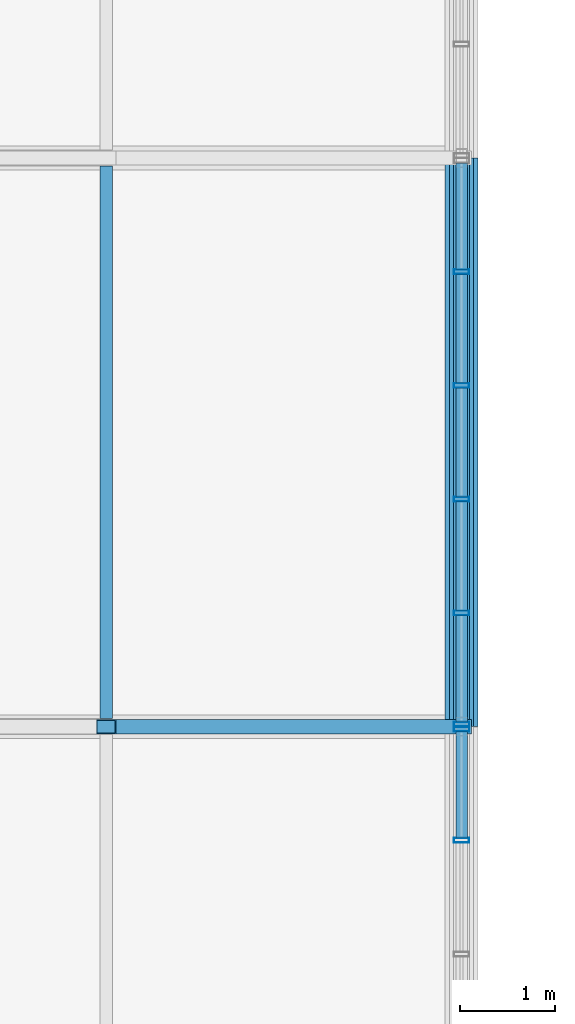
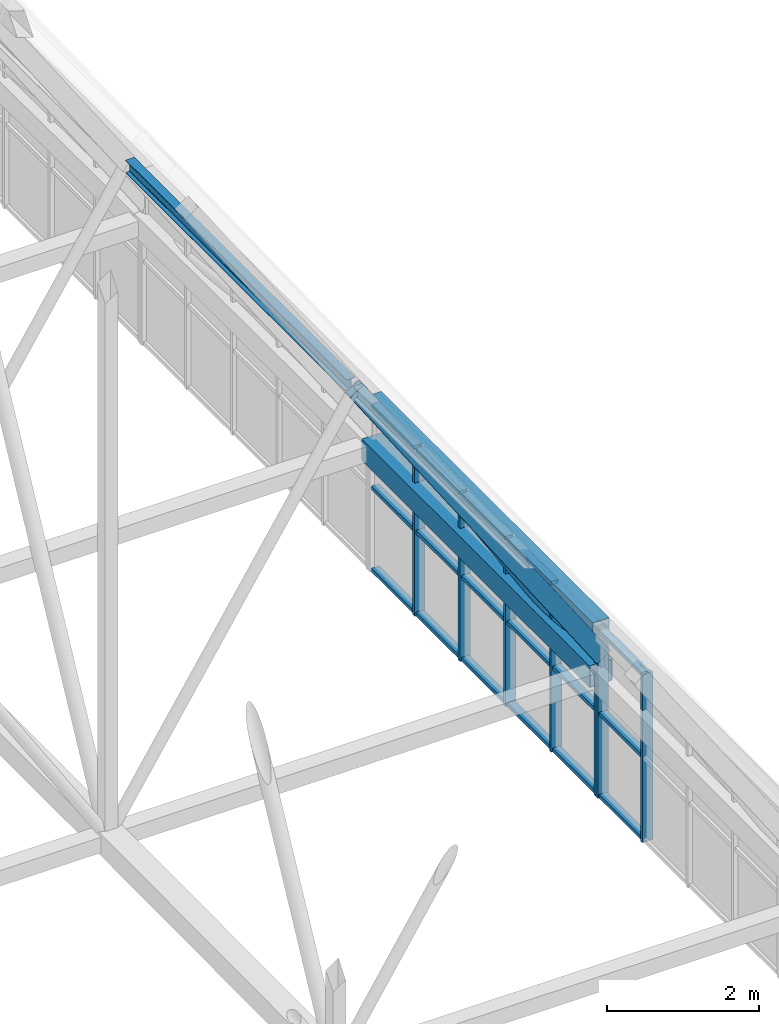
# One storey, part 226 of 324: 29 members, 1 beam, 2 elements without a shape of their own.
"""IFC4 building model written with IfcOpenShell, lengths in metres."""

from ifc_helpers import new_model, si_unit, direction, frame, origin, origin_2d, place, context, subcontext, project, spatial, hollow_rectangle, hollow_circle, i_section, extrude, material, layer, layer_set, material_profile, profile_set, type_object, element, aggregate, save


model = new_model("IFC4")

# Units and contexts
model_context = context("Model", 3, precision=1e-05, world=origin(), true_north=direction((0.0, 1.0)))
body_context = subcontext(model_context, "Body", "Model", "MODEL_VIEW")
ifc_project = project(units=[si_unit("LENGTHUNIT", "METRE"), si_unit("AREAUNIT", "SQUARE_METRE"), si_unit("VOLUMEUNIT", "CUBIC_METRE"), si_unit("PLANEANGLEUNIT", "RADIAN"), si_unit("MASSUNIT", "GRAM", prefix="KILO")], contexts=[model_context])

# Site, building, storey
site_placement = place(None, origin())
site = spatial("IfcSite", under=ifc_project, at=site_placement, CompositionType="ELEMENT")
building_placement = place(site_placement, origin())
building = spatial("IfcBuilding", under=site, at=building_placement, Name="Solvenia Promenade Tram Depot", CompositionType="ELEMENT")
storey_placement = place(building_placement, frame((0.0, 0.0, 4.5)))
storey = spatial("IfcBuildingStorey", under=building, at=storey_placement, Name="L01", CompositionType="ELEMENT", Elevation=4.5)

# Curtain wall, members
ifc_material_1 = material(Name="Anodized aluminium AW-6063 T6", Category="aluminium")
ifc_layer = layer(ifc_material_1, 0.159912109375, Name="Anodized aluminium AW-6063 T6", Category="aluminium")
ifc_layer_set = layer_set([ifc_layer], Name="Anodized aluminium AW-6063 T6")
curtain_wall_type = type_object("IfcCurtainWallType", Name="CW-Channel-1200", PredefinedType="NOTDEFINED", material=ifc_layer_set)
curtain_wall_1_placement = place(storey_placement, origin())
curtain_wall_1 = element("IfcCurtainWall", 1, at=curtain_wall_1_placement, inside=storey, type_object=curtain_wall_type, Name="Curtain Wall CW-V1E-04", PredefinedType="NOTDEFINED")
ifc_material_profile_1 = material_profile(ifc_material_1, hollow_rectangle(XDim=0.159912109375, YDim=0.052001953125, WallThickness=0.00390625, at=origin_2d()), Name="ALU-M1", Category="aluminium")
ifc_profile_set_1 = profile_set([ifc_material_profile_1], Name="Anodized aluminium AW-6063 T6")
member_type_1 = type_object("IfcMemberType", Name="CWM-Mullion-1", PredefinedType="MULLION", material=ifc_profile_set_1)
member_1_placement = place(storey_placement, frame((150.0, 88.800048828125, 0.699951171875), z_axis=(0.0, 0.0, 1.0), x_axis=(-1.0, 0.0, 0.0)))
member_1 = element("IfcMember", 2, at=member_1_placement, type_object=member_type_1, Name="CW-1 mullion 5", PredefinedType="MULLION", context=body_context, shape_type="SweptSolid", body=[
    extrude(hollow_rectangle(XDim=0.159912109375, YDim=0.052001953125, WallThickness=0.00390625, at=origin_2d()), origin(), (0.0, 0.0, 1.0), 2.699951171875),
])
member_2_placement = place(storey_placement, frame((150.0, 89.97412109375, 0.699951171875), z_axis=(0.0, 0.0, 1.0), x_axis=(-1.0, 0.0, 0.0)))
member_2 = element("IfcMember", 3, at=member_2_placement, type_object=member_type_1, Name="CW-1 mullion 6", PredefinedType="MULLION", context=body_context, shape_type="SweptSolid", body=[
    extrude(hollow_rectangle(XDim=0.159912109375, YDim=0.052001953125, WallThickness=0.00390625, at=origin_2d()), origin(), (0.0, 0.0, 1.0), 2.699951171875),
])

curtain_wall_2_placement = place(storey_placement, origin())
curtain_wall_2 = element("IfcCurtainWall", 4, at=curtain_wall_2_placement, inside=storey, type_object=curtain_wall_type, Name="Curtain Wall CW-V1E-05", PredefinedType="NOTDEFINED")
member_3_placement = place(storey_placement, frame((150.0, 90.02587890625, 0.699951171875), z_axis=(0.0, 0.0, 1.0), x_axis=(-1.0, 0.0, 0.0)))
member_3 = element("IfcMember", 5, at=member_3_placement, type_object=member_type_1, Name="CW-1 mullion 1", PredefinedType="MULLION", context=body_context, shape_type="SweptSolid", body=[
    extrude(hollow_rectangle(XDim=0.159912109375, YDim=0.052001953125, WallThickness=0.00390625, at=origin_2d()), origin(), (0.0, 0.0, 1.0), 2.699951171875),
])
member_4_placement = place(storey_placement, frame((150.0, 91.199951171875, 0.699951171875), z_axis=(0.0, 0.0, 1.0), x_axis=(-1.0, 0.0, 0.0)))
member_4 = element("IfcMember", 6, at=member_4_placement, type_object=member_type_1, Name="CW-1 mullion 2", PredefinedType="MULLION", context=body_context, shape_type="SweptSolid", body=[
    extrude(hollow_rectangle(XDim=0.159912109375, YDim=0.052001953125, WallThickness=0.00390625, at=origin_2d()), origin(), (0.0, 0.0, 1.0), 2.699951171875),
])
member_5_placement = place(storey_placement, frame((150.0, 92.39990234375, 0.699951171875), z_axis=(0.0, 0.0, 1.0), x_axis=(-1.0, 0.0, 0.0)))
member_5 = element("IfcMember", 7, at=member_5_placement, type_object=member_type_1, Name="CW-1 mullion 3", PredefinedType="MULLION", context=body_context, shape_type="SweptSolid", body=[
    extrude(hollow_rectangle(XDim=0.159912109375, YDim=0.052001953125, WallThickness=0.00390625, at=origin_2d()), origin(), (0.0, 0.0, 1.0), 2.699951171875),
])
member_6_placement = place(storey_placement, frame((150.0, 93.60009765625, 0.699951171875), z_axis=(0.0, 0.0, 1.0), x_axis=(-1.0, 0.0, 0.0)))
member_6 = element("IfcMember", 8, at=member_6_placement, type_object=member_type_1, Name="CW-1 mullion 4", PredefinedType="MULLION", context=body_context, shape_type="SweptSolid", body=[
    extrude(hollow_rectangle(XDim=0.159912109375, YDim=0.052001953125, WallThickness=0.00390625, at=origin_2d()), origin(), (0.0, 0.0, 1.0), 2.699951171875),
])
member_7_placement = place(storey_placement, frame((150.0, 94.800048828125, 0.699951171875), z_axis=(0.0, 0.0, 1.0), x_axis=(-1.0, 0.0, 0.0)))
member_7 = element("IfcMember", 9, at=member_7_placement, type_object=member_type_1, Name="CW-1 mullion 5", PredefinedType="MULLION", context=body_context, shape_type="SweptSolid", body=[
    extrude(hollow_rectangle(XDim=0.159912109375, YDim=0.052001953125, WallThickness=0.00390625, at=origin_2d()), origin(), (0.0, 0.0, 1.0), 2.699951171875),
])

# Member
ifc_material_profile_2 = material_profile(ifc_material_1, hollow_rectangle(XDim=0.1201171875, YDim=0.06005859375, WallThickness=0.00390625, at=origin_2d()), Name="ALU-T1", Category="aluminium")
ifc_profile_set_2 = profile_set([ifc_material_profile_2], Name="Anodized aluminium AW-6063 T6")
member_type_2 = type_object("IfcMemberType", Name="CWT-Transom-1", PredefinedType="USERDEFINED", material=ifc_profile_set_2)
member_8_placement = place(storey_placement, frame((150.0, 88.825927734375, 0.72998046875), z_axis=(0.0, 1.0, 0.0), x_axis=(-1.0, 0.0, 0.0)))
member_8 = element("IfcMember", 10, at=member_8_placement, type_object=member_type_2, Name="CW-1 transom 5.1", ObjectType="TRANSOM", PredefinedType="USERDEFINED", context=body_context, shape_type="SweptSolid", body=[
    extrude(hollow_rectangle(XDim=0.1201171875, YDim=0.06005859375, WallThickness=0.00390625, at=origin_2d()), origin(), (0.0, 0.0, 1.0), 1.1220703125),
])

member_9_placement = place(storey_placement, frame((150.0, 88.825927734375, 2.050048828125), z_axis=(0.0, 1.0, 0.0), x_axis=(-1.0, 0.0, 0.0)))
member_9 = element("IfcMember", 11, at=member_9_placement, type_object=member_type_2, Name="CW-1 transom 5.2", ObjectType="TRANSOM", PredefinedType="USERDEFINED", context=body_context, shape_type="SweptSolid", body=[
    extrude(hollow_rectangle(XDim=0.1201171875, YDim=0.06005859375, WallThickness=0.00390625, at=origin_2d()), origin(), (0.0, 0.0, 1.0), 1.1220703125),
])

member_10_placement = place(storey_placement, frame((150.0, 88.825927734375, 3.3701171875), z_axis=(0.0, 1.0, 0.0), x_axis=(-1.0, 0.0, 0.0)))
member_10 = element("IfcMember", 12, at=member_10_placement, type_object=member_type_2, Name="CW-1 transom 5.3", ObjectType="TRANSOM", PredefinedType="USERDEFINED", context=body_context, shape_type="SweptSolid", body=[
    extrude(hollow_rectangle(XDim=0.1201171875, YDim=0.06005859375, WallThickness=0.00390625, at=origin_2d()), origin(), (0.0, 0.0, 1.0), 1.1220703125),
])

aggregate(curtain_wall_1, [member_1, member_2, member_8, member_9, member_10])

member_11_placement = place(storey_placement, frame((150.0, 90.052001953125, 0.72998046875), z_axis=(0.0, 1.0, 0.0), x_axis=(-1.0, 0.0, 0.0)))
member_11 = element("IfcMember", 13, at=member_11_placement, type_object=member_type_2, Name="CW-1 transom 1.1", ObjectType="TRANSOM", PredefinedType="USERDEFINED", context=body_context, shape_type="SweptSolid", body=[
    extrude(hollow_rectangle(XDim=0.1201171875, YDim=0.06005859375, WallThickness=0.00390625, at=origin_2d()), origin(), (0.0, 0.0, 1.0), 1.1220703125),
])

member_12_placement = place(storey_placement, frame((150.0, 90.052001953125, 2.050048828125), z_axis=(0.0, 1.0, 0.0), x_axis=(-1.0, 0.0, 0.0)))
member_12 = element("IfcMember", 14, at=member_12_placement, type_object=member_type_2, Name="CW-1 transom 1.2", ObjectType="TRANSOM", PredefinedType="USERDEFINED", context=body_context, shape_type="SweptSolid", body=[
    extrude(hollow_rectangle(XDim=0.1201171875, YDim=0.06005859375, WallThickness=0.00390625, at=origin_2d()), origin(), (0.0, 0.0, 1.0), 1.1220703125),
])

member_13_placement = place(storey_placement, frame((150.0, 90.052001953125, 3.3701171875), z_axis=(0.0, 1.0, 0.0), x_axis=(-1.0, 0.0, 0.0)))
member_13 = element("IfcMember", 15, at=member_13_placement, type_object=member_type_2, Name="CW-1 transom 1.3", ObjectType="TRANSOM", PredefinedType="USERDEFINED", context=body_context, shape_type="SweptSolid", body=[
    extrude(hollow_rectangle(XDim=0.1201171875, YDim=0.06005859375, WallThickness=0.00390625, at=origin_2d()), origin(), (0.0, 0.0, 1.0), 1.1220703125),
])

member_14_placement = place(storey_placement, frame((150.0, 91.22607421875, 0.72998046875), z_axis=(0.0, 1.0, 0.0), x_axis=(-1.0, 0.0, 0.0)))
member_14 = element("IfcMember", 16, at=member_14_placement, type_object=member_type_2, Name="CW-1 transom 2.1", ObjectType="TRANSOM", PredefinedType="USERDEFINED", context=body_context, shape_type="SweptSolid", body=[
    extrude(hollow_rectangle(XDim=0.1201171875, YDim=0.06005859375, WallThickness=0.00390625, at=origin_2d()), origin(), (0.0, 0.0, 1.0), 1.14794921875),
])

member_15_placement = place(storey_placement, frame((150.0, 91.22607421875, 2.050048828125), z_axis=(0.0, 1.0, 0.0), x_axis=(-1.0, 0.0, 0.0)))
member_15 = element("IfcMember", 17, at=member_15_placement, type_object=member_type_2, Name="CW-1 transom 2.2", ObjectType="TRANSOM", PredefinedType="USERDEFINED", context=body_context, shape_type="SweptSolid", body=[
    extrude(hollow_rectangle(XDim=0.1201171875, YDim=0.06005859375, WallThickness=0.00390625, at=origin_2d()), origin(), (0.0, 0.0, 1.0), 1.14794921875),
])

member_16_placement = place(storey_placement, frame((150.0, 91.22607421875, 3.3701171875), z_axis=(0.0, 1.0, 0.0), x_axis=(-1.0, 0.0, 0.0)))
member_16 = element("IfcMember", 18, at=member_16_placement, type_object=member_type_2, Name="CW-1 transom 2.3", ObjectType="TRANSOM", PredefinedType="USERDEFINED", context=body_context, shape_type="SweptSolid", body=[
    extrude(hollow_rectangle(XDim=0.1201171875, YDim=0.06005859375, WallThickness=0.00390625, at=origin_2d()), origin(), (0.0, 0.0, 1.0), 1.14794921875),
])

member_17_placement = place(storey_placement, frame((150.0, 92.426025390625, 0.72998046875), z_axis=(0.0, 1.0, 0.0), x_axis=(-1.0, 0.0, 0.0)))
member_17 = element("IfcMember", 19, at=member_17_placement, type_object=member_type_2, Name="CW-1 transom 3.1", ObjectType="TRANSOM", PredefinedType="USERDEFINED", context=body_context, shape_type="SweptSolid", body=[
    extrude(hollow_rectangle(XDim=0.1201171875, YDim=0.06005859375, WallThickness=0.00390625, at=origin_2d()), origin(), (0.0, 0.0, 1.0), 1.14794921875),
])

member_18_placement = place(storey_placement, frame((150.0, 92.426025390625, 2.050048828125), z_axis=(0.0, 1.0, 0.0), x_axis=(-1.0, 0.0, 0.0)))
member_18 = element("IfcMember", 20, at=member_18_placement, type_object=member_type_2, Name="CW-1 transom 3.2", ObjectType="TRANSOM", PredefinedType="USERDEFINED", context=body_context, shape_type="SweptSolid", body=[
    extrude(hollow_rectangle(XDim=0.1201171875, YDim=0.06005859375, WallThickness=0.00390625, at=origin_2d()), origin(), (0.0, 0.0, 1.0), 1.14794921875),
])

member_19_placement = place(storey_placement, frame((150.0, 92.426025390625, 3.3701171875), z_axis=(0.0, 1.0, 0.0), x_axis=(-1.0, 0.0, 0.0)))
member_19 = element("IfcMember", 21, at=member_19_placement, type_object=member_type_2, Name="CW-1 transom 3.3", ObjectType="TRANSOM", PredefinedType="USERDEFINED", context=body_context, shape_type="SweptSolid", body=[
    extrude(hollow_rectangle(XDim=0.1201171875, YDim=0.06005859375, WallThickness=0.00390625, at=origin_2d()), origin(), (0.0, 0.0, 1.0), 1.14794921875),
])

member_20_placement = place(storey_placement, frame((150.0, 93.6259765625, 0.72998046875), z_axis=(0.0, 1.0, 0.0), x_axis=(-1.0, 0.0, 0.0)))
member_20 = element("IfcMember", 22, at=member_20_placement, type_object=member_type_2, Name="CW-1 transom 4.1", ObjectType="TRANSOM", PredefinedType="USERDEFINED", context=body_context, shape_type="SweptSolid", body=[
    extrude(hollow_rectangle(XDim=0.1201171875, YDim=0.06005859375, WallThickness=0.00390625, at=origin_2d()), origin(), (0.0, 0.0, 1.0), 1.14794921875),
])

member_21_placement = place(storey_placement, frame((150.0, 93.6259765625, 2.050048828125), z_axis=(0.0, 1.0, 0.0), x_axis=(-1.0, 0.0, 0.0)))
member_21 = element("IfcMember", 23, at=member_21_placement, type_object=member_type_2, Name="CW-1 transom 4.2", ObjectType="TRANSOM", PredefinedType="USERDEFINED", context=body_context, shape_type="SweptSolid", body=[
    extrude(hollow_rectangle(XDim=0.1201171875, YDim=0.06005859375, WallThickness=0.00390625, at=origin_2d()), origin(), (0.0, 0.0, 1.0), 1.14794921875),
])

member_22_placement = place(storey_placement, frame((150.0, 93.6259765625, 3.3701171875), z_axis=(0.0, 1.0, 0.0), x_axis=(-1.0, 0.0, 0.0)))
member_22 = element("IfcMember", 24, at=member_22_placement, type_object=member_type_2, Name="CW-1 transom 4.3", ObjectType="TRANSOM", PredefinedType="USERDEFINED", context=body_context, shape_type="SweptSolid", body=[
    extrude(hollow_rectangle(XDim=0.1201171875, YDim=0.06005859375, WallThickness=0.00390625, at=origin_2d()), origin(), (0.0, 0.0, 1.0), 1.14794921875),
])

member_23_placement = place(storey_placement, frame((150.0, 94.825927734375, 0.72998046875), z_axis=(0.0, 1.0, 0.0), x_axis=(-1.0, 0.0, 0.0)))
member_23 = element("IfcMember", 25, at=member_23_placement, type_object=member_type_2, Name="CW-1 transom 5.1", ObjectType="TRANSOM", PredefinedType="USERDEFINED", context=body_context, shape_type="SweptSolid", body=[
    extrude(hollow_rectangle(XDim=0.1201171875, YDim=0.06005859375, WallThickness=0.00390625, at=origin_2d()), origin(), (0.0, 0.0, 1.0), 1.1220703125),
])

member_24_placement = place(storey_placement, frame((150.0, 94.825927734375, 2.050048828125), z_axis=(0.0, 1.0, 0.0), x_axis=(-1.0, 0.0, 0.0)))
member_24 = element("IfcMember", 26, at=member_24_placement, type_object=member_type_2, Name="CW-1 transom 5.2", ObjectType="TRANSOM", PredefinedType="USERDEFINED", context=body_context, shape_type="SweptSolid", body=[
    extrude(hollow_rectangle(XDim=0.1201171875, YDim=0.06005859375, WallThickness=0.00390625, at=origin_2d()), origin(), (0.0, 0.0, 1.0), 1.1220703125),
])

member_25_placement = place(storey_placement, frame((150.0, 94.825927734375, 3.3701171875), z_axis=(0.0, 1.0, 0.0), x_axis=(-1.0, 0.0, 0.0)))
member_25 = element("IfcMember", 27, at=member_25_placement, type_object=member_type_2, Name="CW-1 transom 5.3", ObjectType="TRANSOM", PredefinedType="USERDEFINED", context=body_context, shape_type="SweptSolid", body=[
    extrude(hollow_rectangle(XDim=0.1201171875, YDim=0.06005859375, WallThickness=0.00390625, at=origin_2d()), origin(), (0.0, 0.0, 1.0), 1.1220703125),
])

aggregate(curtain_wall_2, [member_3, member_4, member_5, member_6, member_7, member_11, member_12, member_13, member_14, member_15, member_16, member_17, member_18, member_19, member_20, member_21, member_22, member_23, member_24, member_25])

# Members
ifc_material_2 = material(Name="Structural steel ASTM A500 Gr. C", Category="steel")
ifc_material_profile_3 = material_profile(ifc_material_2, hollow_rectangle(XDim=0.14990234375, YDim=0.25, WallThickness=0.010009765625, at=origin_2d()), Name="HSS250x150x10", Category="steel")
ifc_profile_set_3 = profile_set([ifc_material_profile_3], Name="Structural steel ASTM A500 Gr. C")
member_type_3 = type_object("IfcMemberType", Name="Chord-HSS250x150x10", PredefinedType="CHORD", material=ifc_profile_set_3)
member_26_placement = place(storey_placement, frame((146.25, 90.0, 8.54443359375), z_axis=(0.557276274528, 0.0, -0.830327136644), x_axis=(0.0, 1.0, 0.0)))
element("IfcMember", 28, at=member_26_placement, inside=storey, type_object=member_type_3, Name="Zigzag Gable 10 East Lower Rafter", PredefinedType="CHORD", context=body_context, shape_type="SweptSolid", body=[
    extrude(hollow_rectangle(XDim=0.14990234375, YDim=0.25, WallThickness=0.010009765625, at=origin_2d()), origin(), (0.0, 0.0, 1.0), 6.729248046875),
])
ifc_material_profile_4 = material_profile(ifc_material_2, hollow_rectangle(XDim=0.25, YDim=0.25, WallThickness=0.010009765625, at=origin_2d()), Name="HSS250x250x10", Category="steel")
ifc_profile_set_4 = profile_set([ifc_material_profile_4], Name="Structural steel ASTM A500 Gr. C")
member_type_4 = type_object("IfcMemberType", Name="Chord-HSS250x250x10", PredefinedType="CHORD", material=ifc_profile_set_4)
member_27_placement = place(storey_placement, frame((150.0, 90.0, 3.3798828125), z_axis=(0.0, 1.0, 0.0), x_axis=(-1.0, 0.0, 0.0)))
element("IfcMember", 29, at=member_27_placement, inside=storey, type_object=member_type_4, Name="Arched Truss T21 Upper Chord S05", PredefinedType="CHORD", context=body_context, shape_type="SweptSolid", body=[
    extrude(hollow_rectangle(XDim=0.25, YDim=0.25, WallThickness=0.010009765625, at=origin_2d()), origin(), (0.0, 0.0, 1.0), 6.0),
])
ifc_material_profile_5 = material_profile(ifc_material_2, hollow_rectangle(XDim=0.35009765625, YDim=0.35009765625, WallThickness=0.01611328125, at=origin_2d()), Name="HSS350x350x16", Category="steel")
ifc_profile_set_5 = profile_set([ifc_material_profile_5], Name="Structural steel ASTM A500 Gr. C")
member_type_5 = type_object("IfcMemberType", Name="Chord-HSS350x350x16", PredefinedType="CHORD", material=ifc_profile_set_5)
member_28_placement = place(storey_placement, frame((150.0, 90.0, 2.656005859375), z_axis=(0.0, 0.999997310351, 0.002319329699), x_axis=(-1.0, 0.0, 0.0)))
element("IfcMember", 30, at=member_28_placement, inside=storey, type_object=member_type_5, Name="Arched Truss T21 Bottom Chord S05", PredefinedType="CHORD", context=body_context, shape_type="SweptSolid", body=[
    extrude(hollow_rectangle(XDim=0.35009765625, YDim=0.35009765625, WallThickness=0.01611328125, at=origin_2d()), origin(), (0.0, 0.0, 1.0), 6.0),
])

# Beam
ifc_material_3 = material(Name="Structural steel ASTM A992 Gr. 50", Category="steel")
ifc_material_profile_6 = material_profile(ifc_material_3, i_section(OverallWidth=0.133056640625, OverallDepth=0.20703125, WebThickness=0.005859375, FlangeThickness=0.00830078125, FilletRadius=0.009033203125, at=origin_2d()), Name="W200x27", Category="steel")
ifc_profile_set_6 = profile_set([ifc_material_profile_6], Name="Structural steel ASTM A992 Gr. 50")
beam_type = type_object("IfcBeamType", Name="Purlin-W200x27", PredefinedType="USERDEFINED", material=ifc_profile_set_6)
beam_placement = place(storey_placement, frame((146.25, 90.0849609375, 8.551025390625), z_axis=(0.0, 1.0, 0.0), x_axis=(-1.0, 0.0, 0.0)))
element("IfcBeam", 31, at=beam_placement, inside=storey, type_object=beam_type, Name="Gable Roof Purlin E-0190", ObjectType="PURLIN", PredefinedType="USERDEFINED", context=body_context, shape_type="SweptSolid", body=[
    extrude(i_section(OverallWidth=0.133056640625, OverallDepth=0.20703125, WebThickness=0.005859375, FlangeThickness=0.00830078125, FilletRadius=0.009033203125, at=origin_2d()), origin(), (0.0, 0.0, 1.0), 5.830078125),
])

# Member
ifc_material_profile_7 = material_profile(ifc_material_2, hollow_circle(Radius=0.084228515625, WallThickness=0.008056640625, at=origin_2d()), Name="CHS168.3x8", Category="steel")
ifc_profile_set_7 = profile_set([ifc_material_profile_7], Name="Structural steel ASTM A500 Gr. C")
member_type_6 = type_object("IfcMemberType", Name="WebDiag-CHS168x8", PredefinedType="BRACE", material=ifc_profile_set_7)
member_29_placement = place(storey_placement, frame((150.0, 90.0, 2.656005859375), z_axis=(0.0, 0.992800749036, 0.119777596879), x_axis=(-1.0, 0.0, 0.0)))
element("IfcMember", 32, at=member_29_placement, inside=storey, type_object=member_type_6, Name="Arched Truss T21 Web Diagonal S05", PredefinedType="BRACE", context=body_context, shape_type="SweptSolid", body=[
    extrude(hollow_circle(Radius=0.084228515625, WallThickness=0.008056640625, at=origin_2d()), origin(), (0.0, 0.0, 1.0), 6.04345703125),
])

save(model, "model.ifc")
